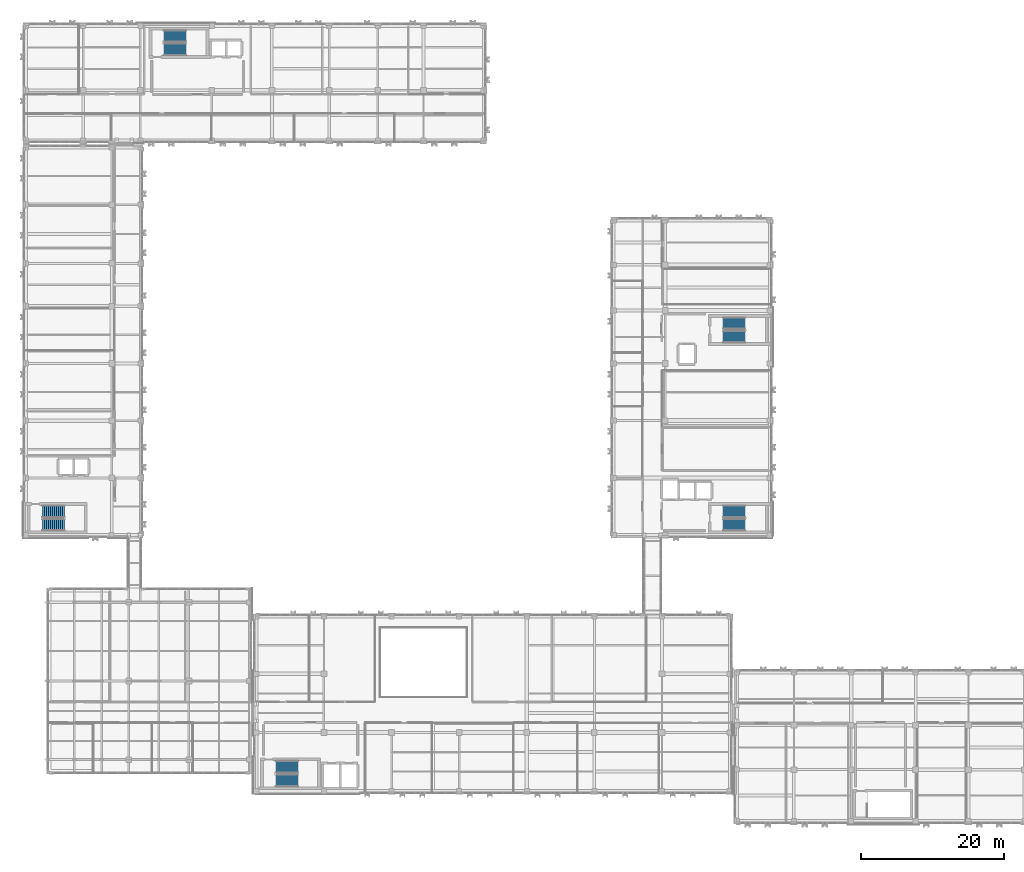
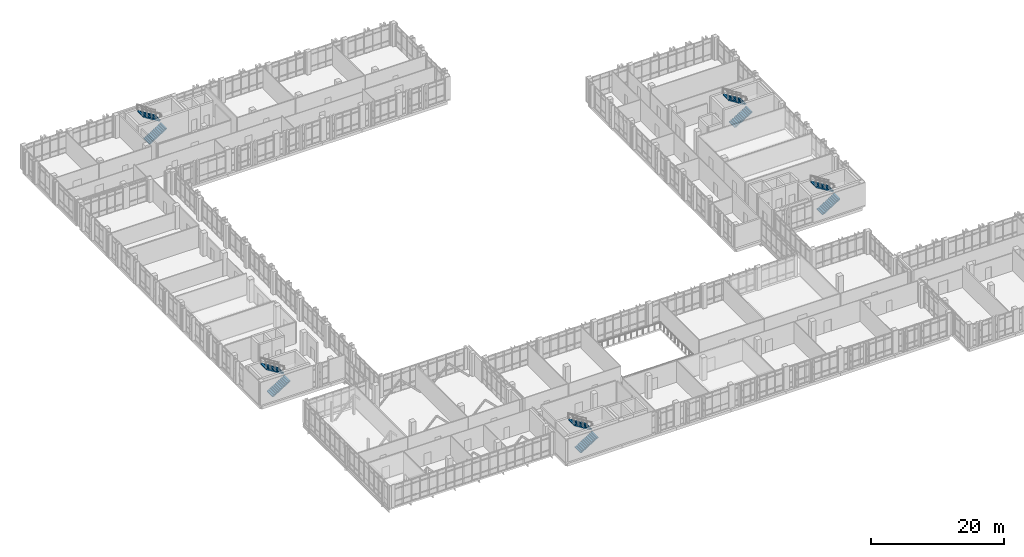
# One storey, part 163 of 193: 10 stair flights, 5 elements without a shape of their own.
"""IFC4 building model written with IfcOpenShell, lengths in metres."""

from ifc_helpers import new_model, si_unit, direction, frame, origin, place, context, subcontext, project, spatial, polyline, outline, extrude, material, type_object, element, aggregate, save


model = new_model("IFC4")

# Units and contexts
model_context = context("Model", 3, precision=1e-05, world=origin(), true_north=direction((0.0, 1.0)))
body_context = subcontext(model_context, "Body", "Model", "MODEL_VIEW")
ifc_project = project(units=[si_unit("LENGTHUNIT", "METRE"), si_unit("AREAUNIT", "SQUARE_METRE"), si_unit("VOLUMEUNIT", "CUBIC_METRE"), si_unit("PLANEANGLEUNIT", "RADIAN"), si_unit("MASSUNIT", "GRAM", prefix="KILO")], contexts=[model_context])

# Site, building, storey
site_placement = place(None, origin())
site = spatial("IfcSite", under=ifc_project, at=site_placement, CompositionType="ELEMENT")
building_placement = place(site_placement, origin())
building = spatial("IfcBuilding", under=site, at=building_placement, Name="Qalavern Law Courts", CompositionType="ELEMENT")
storey_placement = place(building_placement, frame((0.0, 0.0, 10.199951171875)))
storey = spatial("IfcBuildingStorey", under=building, at=storey_placement, Name="L02", CompositionType="ELEMENT", Elevation=10.199951171875)

# Stair, stair flights
ifc_material = material(Name="Concrete C35/45", Category="concrete")
stair_type_1 = type_object("IfcStairType", Name="INT-STAIR-1700", PredefinedType="HALF_TURN_STAIR", material=ifc_material)
stair_1_placement = place(storey_placement, origin())
stair_1 = element("IfcStair", 1, at=stair_1_placement, inside=storey, type_object=stair_type_1, Name="L02 ST-K1A", PredefinedType="HALF_TURN_STAIR")
stair_flight_type_1 = type_object("IfcStairFlightType", Name="INT-FLIGHT-1700", PredefinedType="STRAIGHT", material=ifc_material)
stair_flight_1_placement = place(storey_placement, frame((99.89990234375, 42.85009765625, 0.0), z_axis=(0.0, 0.0, 1.0), x_axis=(1.0, 0.0, 0.0)))
stair_flight_1 = element("IfcStairFlight", 2, at=stair_flight_1_placement, type_object=stair_flight_type_1, Name="ST-K1A flight 1", NumberOfRisers=12, NumberOfTreads=11, PredefinedType="STRAIGHT", RiserHeight=0.175, TreadLength=0.28, context=body_context, shape_type="SweptSolid", body=[
    extrude(outline(polyline([(0.0, 0.0), (0.0, 0.175048828125), (0.280029296875, 0.175048828125), (0.280029296875, 0.35009765625), (0.56005859375, 0.35009765625), (0.56005859375, 0.52490234375), (0.840087890625, 0.52490234375), (0.840087890625, 0.699951171875), (1.1201171875, 0.699951171875), (1.1201171875, 0.875), (1.39990234375, 0.875), (1.39990234375, 1.050048828125), (1.679931640625, 1.050048828125), (1.679931640625, 1.22509765625), (1.9599609375, 1.22509765625), (1.9599609375, 1.39990234375), (2.239990234375, 1.39990234375), (2.239990234375, 1.574951171875), (2.52001953125, 1.574951171875), (2.52001953125, 1.75), (2.800048828125, 1.75), (2.800048828125, 1.925048828125), (3.080078125, 1.925048828125), (3.080078125, 2.10009765625), (3.080078125, 1.748291015625), (0.28271484375, 0.0), (0.0, 0.0)])), frame((0.0, 0.85009765625, 0.0), z_axis=(0.0, -1.0, 0.0), x_axis=(1.0, 0.0, 0.0)), (0.0, 0.0, 1.0), 1.699951171875),
])
stair_flight_2_placement = place(storey_placement, frame((102.97998046875, 44.699951171875, 2.10009765625), z_axis=(0.0, 0.0, 1.0), x_axis=(-1.0, 0.0, 0.0)))
stair_flight_2 = element("IfcStairFlight", 3, at=stair_flight_2_placement, type_object=stair_flight_type_1, Name="ST-K1A flight 2", NumberOfRisers=12, NumberOfTreads=11, PredefinedType="STRAIGHT", RiserHeight=0.175, TreadLength=0.28, context=body_context, shape_type="SweptSolid", body=[
    extrude(outline(polyline([(0.0, 0.0), (0.0, 0.175048828125), (0.280029296875, 0.175048828125), (0.280029296875, 0.35009765625), (0.56005859375, 0.35009765625), (0.56005859375, 0.52490234375), (0.840087890625, 0.52490234375), (0.840087890625, 0.699951171875), (1.1201171875, 0.699951171875), (1.1201171875, 0.875), (1.39990234375, 0.875), (1.39990234375, 1.050048828125), (1.679931640625, 1.050048828125), (1.679931640625, 1.22509765625), (1.9599609375, 1.22509765625), (1.9599609375, 1.39990234375), (2.239990234375, 1.39990234375), (2.239990234375, 1.574951171875), (2.52001953125, 1.574951171875), (2.52001953125, 1.75), (2.800048828125, 1.75), (2.800048828125, 1.925048828125), (3.080078125, 1.925048828125), (3.080078125, 2.10009765625), (3.080078125, 1.748291015625), (0.28271484375, 0.0), (0.0, 0.0)])), frame((0.0, 0.85009765625, 0.0), z_axis=(0.0, -1.0, 0.0), x_axis=(1.0, 0.0, 0.0)), (0.0, 0.0, 1.0), 1.699951171875),
])
aggregate(stair_1, [stair_flight_1, stair_flight_2])

stair_2_placement = place(storey_placement, origin())
stair_2 = element("IfcStair", 4, at=stair_2_placement, inside=storey, type_object=stair_type_1, Name="L02 ST-K1B", PredefinedType="HALF_TURN_STAIR")
stair_flight_3_placement = place(storey_placement, frame((99.89990234375, 69.14990234375, 0.0), z_axis=(0.0, 0.0, 1.0), x_axis=(1.0, 0.0, 0.0)))
stair_flight_3 = element("IfcStairFlight", 5, at=stair_flight_3_placement, type_object=stair_flight_type_1, Name="ST-K1B flight 1", NumberOfRisers=12, NumberOfTreads=11, PredefinedType="STRAIGHT", RiserHeight=0.175, TreadLength=0.28, context=body_context, shape_type="SweptSolid", body=[
    extrude(outline(polyline([(0.0, 0.0), (0.0, 0.175048828125), (0.280029296875, 0.175048828125), (0.280029296875, 0.35009765625), (0.56005859375, 0.35009765625), (0.56005859375, 0.52490234375), (0.840087890625, 0.52490234375), (0.840087890625, 0.699951171875), (1.1201171875, 0.699951171875), (1.1201171875, 0.875), (1.39990234375, 0.875), (1.39990234375, 1.050048828125), (1.679931640625, 1.050048828125), (1.679931640625, 1.22509765625), (1.9599609375, 1.22509765625), (1.9599609375, 1.39990234375), (2.239990234375, 1.39990234375), (2.239990234375, 1.574951171875), (2.52001953125, 1.574951171875), (2.52001953125, 1.75), (2.800048828125, 1.75), (2.800048828125, 1.925048828125), (3.080078125, 1.925048828125), (3.080078125, 2.10009765625), (3.080078125, 1.748291015625), (0.28271484375, 0.0), (0.0, 0.0)])), frame((0.0, 0.85009765625, 0.0), z_axis=(0.0, -1.0, 0.0), x_axis=(1.0, 0.0, 0.0)), (0.0, 0.0, 1.0), 1.699951171875),
])
stair_flight_4_placement = place(storey_placement, frame((102.97998046875, 71.0, 2.10009765625), z_axis=(0.0, 0.0, 1.0), x_axis=(-1.0, 0.0, 0.0)))
stair_flight_4 = element("IfcStairFlight", 6, at=stair_flight_4_placement, type_object=stair_flight_type_1, Name="ST-K1B flight 2", NumberOfRisers=12, NumberOfTreads=11, PredefinedType="STRAIGHT", RiserHeight=0.175, TreadLength=0.28, context=body_context, shape_type="SweptSolid", body=[
    extrude(outline(polyline([(0.0, 0.0), (0.0, 0.175048828125), (0.280029296875, 0.175048828125), (0.280029296875, 0.35009765625), (0.56005859375, 0.35009765625), (0.56005859375, 0.52490234375), (0.840087890625, 0.52490234375), (0.840087890625, 0.699951171875), (1.1201171875, 0.699951171875), (1.1201171875, 0.875), (1.39990234375, 0.875), (1.39990234375, 1.050048828125), (1.679931640625, 1.050048828125), (1.679931640625, 1.22509765625), (1.9599609375, 1.22509765625), (1.9599609375, 1.39990234375), (2.239990234375, 1.39990234375), (2.239990234375, 1.574951171875), (2.52001953125, 1.574951171875), (2.52001953125, 1.75), (2.800048828125, 1.75), (2.800048828125, 1.925048828125), (3.080078125, 1.925048828125), (3.080078125, 2.10009765625), (3.080078125, 1.748291015625), (0.28271484375, 0.0), (0.0, 0.0)])), frame((0.0, 0.85009765625, 0.0), z_axis=(0.0, -1.0, 0.0), x_axis=(1.0, 0.0, 0.0)), (0.0, 0.0, 1.0), 1.699951171875),
])
aggregate(stair_2, [stair_flight_3, stair_flight_4])

stair_3_placement = place(storey_placement, origin())
stair_3 = element("IfcStair", 7, at=stair_3_placement, inside=storey, type_object=stair_type_1, Name="L02 ST-K2", PredefinedType="HALF_TURN_STAIR")
stair_flight_5_placement = place(storey_placement, frame((4.699951171875, 42.85009765625, 0.0), z_axis=(0.0, 0.0, 1.0), x_axis=(1.0, 0.0, 0.0)))
stair_flight_5 = element("IfcStairFlight", 8, at=stair_flight_5_placement, type_object=stair_flight_type_1, Name="ST-K2 flight 1", NumberOfRisers=12, NumberOfTreads=11, PredefinedType="STRAIGHT", RiserHeight=0.175, TreadLength=0.28, context=body_context, shape_type="SweptSolid", body=[
    extrude(outline(polyline([(0.0, 0.0), (0.0, 0.175048828125), (0.280029296875, 0.175048828125), (0.280029296875, 0.35009765625), (0.56005859375, 0.35009765625), (0.56005859375, 0.52490234375), (0.840087890625, 0.52490234375), (0.840087890625, 0.699951171875), (1.1201171875, 0.699951171875), (1.1201171875, 0.875), (1.39990234375, 0.875), (1.39990234375, 1.050048828125), (1.679931640625, 1.050048828125), (1.679931640625, 1.22509765625), (1.9599609375, 1.22509765625), (1.9599609375, 1.39990234375), (2.239990234375, 1.39990234375), (2.239990234375, 1.574951171875), (2.52001953125, 1.574951171875), (2.52001953125, 1.75), (2.800048828125, 1.75), (2.800048828125, 1.925048828125), (3.080078125, 1.925048828125), (3.080078125, 2.10009765625), (3.080078125, 1.748291015625), (0.28271484375, 0.0), (0.0, 0.0)])), frame((0.0, 0.85009765625, 0.0), z_axis=(0.0, -1.0, 0.0), x_axis=(1.0, 0.0, 0.0)), (0.0, 0.0, 1.0), 1.699951171875),
])
stair_flight_6_placement = place(storey_placement, frame((7.780029296875, 44.699951171875, 2.10009765625), z_axis=(0.0, 0.0, 1.0), x_axis=(-1.0, 0.0, 0.0)))
stair_flight_6 = element("IfcStairFlight", 9, at=stair_flight_6_placement, type_object=stair_flight_type_1, Name="ST-K2 flight 2", NumberOfRisers=12, NumberOfTreads=11, PredefinedType="STRAIGHT", RiserHeight=0.175, TreadLength=0.28, context=body_context, shape_type="SweptSolid", body=[
    extrude(outline(polyline([(0.0, 0.0), (0.0, 0.175048828125), (0.280029296875, 0.175048828125), (0.280029296875, 0.35009765625), (0.56005859375, 0.35009765625), (0.56005859375, 0.52490234375), (0.840087890625, 0.52490234375), (0.840087890625, 0.699951171875), (1.1201171875, 0.699951171875), (1.1201171875, 0.875), (1.39990234375, 0.875), (1.39990234375, 1.050048828125), (1.679931640625, 1.050048828125), (1.679931640625, 1.22509765625), (1.9599609375, 1.22509765625), (1.9599609375, 1.39990234375), (2.239990234375, 1.39990234375), (2.239990234375, 1.574951171875), (2.52001953125, 1.574951171875), (2.52001953125, 1.75), (2.800048828125, 1.75), (2.800048828125, 1.925048828125), (3.080078125, 1.925048828125), (3.080078125, 2.10009765625), (3.080078125, 1.748291015625), (0.28271484375, 0.0), (0.0, 0.0)])), frame((0.0, 0.85009765625, 0.0), z_axis=(0.0, -1.0, 0.0), x_axis=(1.0, 0.0, 0.0)), (0.0, 0.0, 1.0), 1.699951171875),
])
aggregate(stair_3, [stair_flight_5, stair_flight_6])

stair_4_placement = place(storey_placement, origin())
stair_4 = element("IfcStair", 10, at=stair_4_placement, inside=storey, type_object=stair_type_1, Name="L02 ST-K3", PredefinedType="HALF_TURN_STAIR")
stair_flight_7_placement = place(storey_placement, frame((21.699951171875, 109.300048828125, 0.0), z_axis=(0.0, 0.0, 1.0), x_axis=(1.0, 0.0, 0.0)))
stair_flight_7 = element("IfcStairFlight", 11, at=stair_flight_7_placement, type_object=stair_flight_type_1, Name="ST-K3 flight 1", NumberOfRisers=12, NumberOfTreads=11, PredefinedType="STRAIGHT", RiserHeight=0.175, TreadLength=0.28, context=body_context, shape_type="SweptSolid", body=[
    extrude(outline(polyline([(0.0, 0.0), (0.0, 0.175048828125), (0.280029296875, 0.175048828125), (0.280029296875, 0.35009765625), (0.56005859375, 0.35009765625), (0.56005859375, 0.52490234375), (0.840087890625, 0.52490234375), (0.840087890625, 0.699951171875), (1.1201171875, 0.699951171875), (1.1201171875, 0.875), (1.39990234375, 0.875), (1.39990234375, 1.050048828125), (1.679931640625, 1.050048828125), (1.679931640625, 1.22509765625), (1.9599609375, 1.22509765625), (1.9599609375, 1.39990234375), (2.239990234375, 1.39990234375), (2.239990234375, 1.574951171875), (2.52001953125, 1.574951171875), (2.52001953125, 1.75), (2.800048828125, 1.75), (2.800048828125, 1.925048828125), (3.080078125, 1.925048828125), (3.080078125, 2.10009765625), (3.080078125, 1.748291015625), (0.28271484375, 0.0), (0.0, 0.0)])), frame((0.0, 0.85009765625, 0.0), z_axis=(0.0, -1.0, 0.0), x_axis=(1.0, 0.0, 0.0)), (0.0, 0.0, 1.0), 1.699951171875),
])
stair_flight_8_placement = place(storey_placement, frame((24.780029296875, 111.14990234375, 2.10009765625), z_axis=(0.0, 0.0, 1.0), x_axis=(-1.0, 0.0, 0.0)))
stair_flight_8 = element("IfcStairFlight", 12, at=stair_flight_8_placement, type_object=stair_flight_type_1, Name="ST-K3 flight 2", NumberOfRisers=12, NumberOfTreads=11, PredefinedType="STRAIGHT", RiserHeight=0.175, TreadLength=0.28, context=body_context, shape_type="SweptSolid", body=[
    extrude(outline(polyline([(0.0, 0.0), (0.0, 0.175048828125), (0.280029296875, 0.175048828125), (0.280029296875, 0.35009765625), (0.56005859375, 0.35009765625), (0.56005859375, 0.52490234375), (0.840087890625, 0.52490234375), (0.840087890625, 0.699951171875), (1.1201171875, 0.699951171875), (1.1201171875, 0.875), (1.39990234375, 0.875), (1.39990234375, 1.050048828125), (1.679931640625, 1.050048828125), (1.679931640625, 1.22509765625), (1.9599609375, 1.22509765625), (1.9599609375, 1.39990234375), (2.239990234375, 1.39990234375), (2.239990234375, 1.574951171875), (2.52001953125, 1.574951171875), (2.52001953125, 1.75), (2.800048828125, 1.75), (2.800048828125, 1.925048828125), (3.080078125, 1.925048828125), (3.080078125, 2.10009765625), (3.080078125, 1.748291015625), (0.28271484375, 0.0), (0.0, 0.0)])), frame((0.0, 0.85009765625, 0.0), z_axis=(0.0, -1.0, 0.0), x_axis=(1.0, 0.0, 0.0)), (0.0, 0.0, 1.0), 1.699951171875),
])
aggregate(stair_4, [stair_flight_7, stair_flight_8])

stair_type_2 = type_object("IfcStairType", Name="INT-STAIR-1750", PredefinedType="HALF_TURN_STAIR", material=ifc_material)
stair_5_placement = place(storey_placement, origin())
stair_5 = element("IfcStair", 13, at=stair_5_placement, inside=storey, type_object=stair_type_2, Name="L02 ST-K4", PredefinedType="HALF_TURN_STAIR")
stair_flight_type_2 = type_object("IfcStairFlightType", Name="INT-FLIGHT-1750", PredefinedType="STRAIGHT", material=ifc_material)
stair_flight_9_placement = place(storey_placement, frame((37.35009765625, 7.074951171875, 0.0), z_axis=(0.0, 0.0, 1.0), x_axis=(1.0, 0.0, 0.0)))
stair_flight_9 = element("IfcStairFlight", 14, at=stair_flight_9_placement, type_object=stair_flight_type_2, Name="ST-K4 flight 1", NumberOfRisers=12, NumberOfTreads=11, PredefinedType="STRAIGHT", RiserHeight=0.175, TreadLength=0.28, context=body_context, shape_type="SweptSolid", body=[
    extrude(outline(polyline([(0.0, 0.0), (0.0, 0.175048828125), (0.280029296875, 0.175048828125), (0.280029296875, 0.35009765625), (0.56005859375, 0.35009765625), (0.56005859375, 0.52490234375), (0.840087890625, 0.52490234375), (0.840087890625, 0.699951171875), (1.1201171875, 0.699951171875), (1.1201171875, 0.875), (1.39990234375, 0.875), (1.39990234375, 1.050048828125), (1.679931640625, 1.050048828125), (1.679931640625, 1.22509765625), (1.9599609375, 1.22509765625), (1.9599609375, 1.39990234375), (2.239990234375, 1.39990234375), (2.239990234375, 1.574951171875), (2.52001953125, 1.574951171875), (2.52001953125, 1.75), (2.800048828125, 1.75), (2.800048828125, 1.925048828125), (3.080078125, 1.925048828125), (3.080078125, 2.10009765625), (3.080078125, 1.748291015625), (0.28271484375, 0.0), (0.0, 0.0)])), frame((0.0, 0.875, 0.0), z_axis=(0.0, -1.0, 0.0), x_axis=(1.0, 0.0, 0.0)), (0.0, 0.0, 1.0), 1.75),
])
stair_flight_10_placement = place(storey_placement, frame((40.429931640625, 8.97509765625, 2.10009765625), z_axis=(0.0, 0.0, 1.0), x_axis=(-1.0, 0.0, 0.0)))
stair_flight_10 = element("IfcStairFlight", 15, at=stair_flight_10_placement, type_object=stair_flight_type_2, Name="ST-K4 flight 2", NumberOfRisers=12, NumberOfTreads=11, PredefinedType="STRAIGHT", RiserHeight=0.175, TreadLength=0.28, context=body_context, shape_type="SweptSolid", body=[
    extrude(outline(polyline([(0.0, 0.0), (0.0, 0.175048828125), (0.280029296875, 0.175048828125), (0.280029296875, 0.35009765625), (0.56005859375, 0.35009765625), (0.56005859375, 0.52490234375), (0.840087890625, 0.52490234375), (0.840087890625, 0.699951171875), (1.1201171875, 0.699951171875), (1.1201171875, 0.875), (1.39990234375, 0.875), (1.39990234375, 1.050048828125), (1.679931640625, 1.050048828125), (1.679931640625, 1.22509765625), (1.9599609375, 1.22509765625), (1.9599609375, 1.39990234375), (2.239990234375, 1.39990234375), (2.239990234375, 1.574951171875), (2.52001953125, 1.574951171875), (2.52001953125, 1.75), (2.800048828125, 1.75), (2.800048828125, 1.925048828125), (3.080078125, 1.925048828125), (3.080078125, 2.10009765625), (3.080078125, 1.748291015625), (0.28271484375, 0.0), (0.0, 0.0)])), frame((0.0, 0.875, 0.0), z_axis=(0.0, -1.0, 0.0), x_axis=(1.0, 0.0, 0.0)), (0.0, 0.0, 1.0), 1.75),
])
aggregate(stair_5, [stair_flight_9, stair_flight_10])

save(model, "model.ifc")
